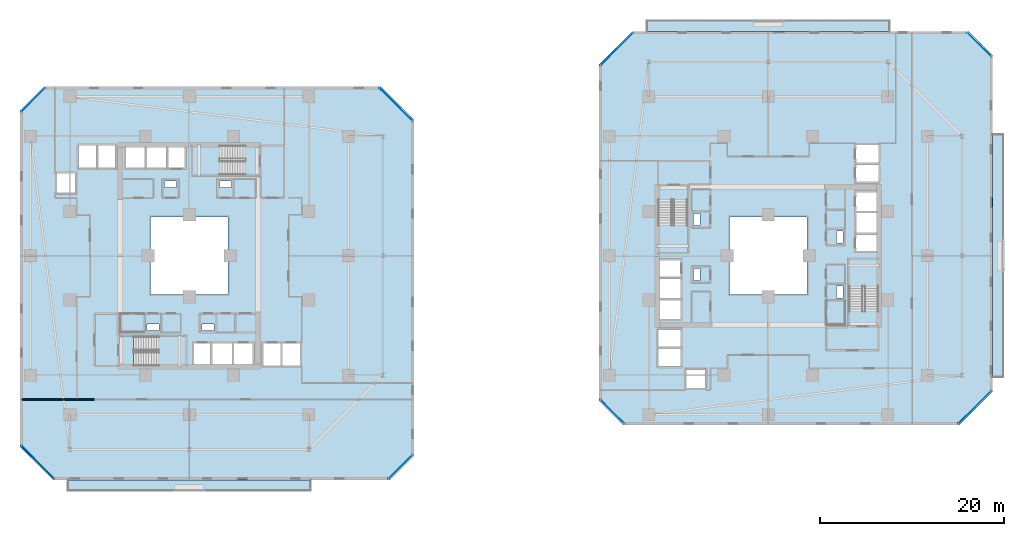
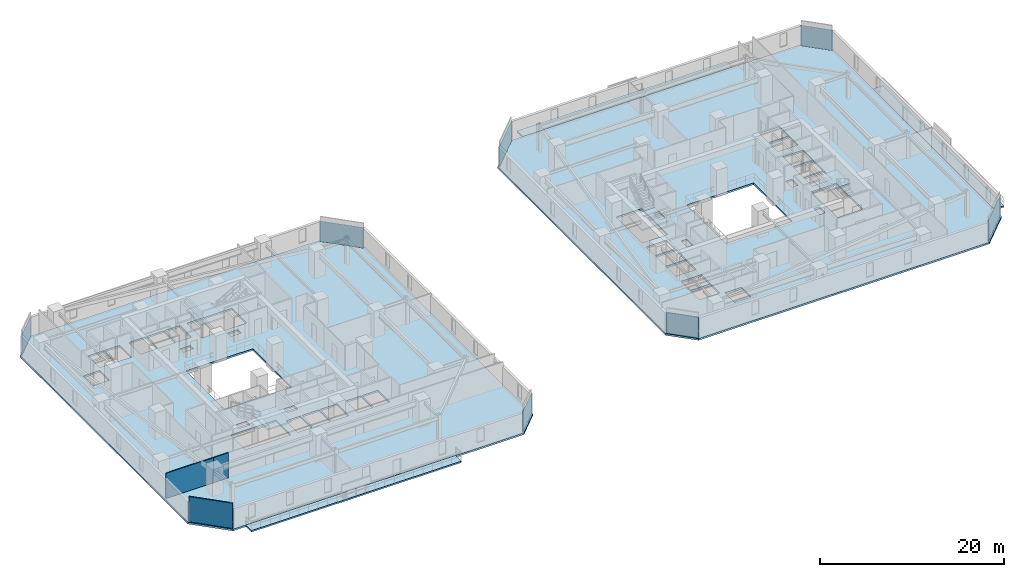
# One storey, part 19 of 34: 9 slabs, 8 plates, 3 walls, 12 elements without a shape of their own.
"""IFC4 building model written with IfcOpenShell, lengths in metres."""

from ifc_helpers import new_model, si_unit, direction, frame, frame_2d, origin, origin_2d, place, context, subcontext, project, spatial, polyline, rectangle, outline, extrude, material, layer, layer_set, type_object, element, aggregate, save


model = new_model("IFC4")

# Units and contexts
model_context = context("Model", 3, precision=1e-05, world=origin(), true_north=direction((0.0, 1.0)))
body_context = subcontext(model_context, "Body", "Model", "MODEL_VIEW")
ifc_project = project(units=[si_unit("LENGTHUNIT", "METRE"), si_unit("AREAUNIT", "SQUARE_METRE"), si_unit("VOLUMEUNIT", "CUBIC_METRE"), si_unit("PLANEANGLEUNIT", "RADIAN"), si_unit("MASSUNIT", "GRAM", prefix="KILO")], contexts=[model_context])

# Site, building, storey
site_placement = place(None, origin())
site = spatial("IfcSite", under=ifc_project, at=site_placement, CompositionType="ELEMENT")
building_placement = place(site_placement, origin())
building = spatial("IfcBuilding", under=site, at=building_placement, Name="Thornwick Lancets Civic Towers", CompositionType="ELEMENT")
storey_placement = place(building_placement, frame((0.0, 0.0, 57.300048828125)))
storey = spatial("IfcBuildingStorey", under=building, at=storey_placement, Name="L14", CompositionType="ELEMENT", Elevation=57.300048828125)

# Curtain wall, plate
ifc_material_1 = material(Name="Low-zone chamfered-corner unitised glass curtain wall", Category="glass")
curtain_wall_type = type_object("IfcCurtainWallType", Name="CW_SYS_03", PredefinedType="NOTDEFINED", material=ifc_material_1)
curtain_wall_1_placement = place(storey_placement, origin())
curtain_wall_1 = element("IfcCurtainWall", 1, at=curtain_wall_1_placement, inside=storey, type_object=curtain_wall_type, Name="L14 Curtain Wall CW-L14-A-E1", PredefinedType="NOTDEFINED")
ifc_material_2 = material(Name="Low-e double glazing clear glass", Category="glass")
ifc_layer_1 = layer(ifc_material_2, 0.035888671875, Name="Low-e double glazing clear glass")
ifc_layer_set_1 = layer_set([ifc_layer_1], Name="Low-e double glazing clear glass")
plate_type = type_object("IfcPlateType", Name="CW_PNL_GLASS", PredefinedType="CURTAIN_PANEL", material=ifc_layer_set_1)
plate_1_placement = place(storey_placement, frame((48.472900390625, 4.027099609375, 0.0), z_axis=(0.0, 0.0, 1.0), x_axis=(0.707106781187, 0.707106781187, 0.0)))
plate_1 = element("IfcPlate", 2, at=plate_1_placement, type_object=plate_type, Name="CW-L14-A-E1 Panel 0", PredefinedType="CURTAIN_PANEL", context=body_context, shape_type="SweptSolid", body=[
    extrude(rectangle(XDim=3.64990234375, YDim=0.035888671875, at=origin_2d()), origin(), (0.0, 0.0, 1.0), 2.699951171875),
])
aggregate(curtain_wall_1, [plate_1])

curtain_wall_2_placement = place(storey_placement, origin())
curtain_wall_2 = element("IfcCurtainWall", 3, at=curtain_wall_2_placement, inside=storey, type_object=curtain_wall_type, Name="L14 Curtain Wall CW-L14-A-E3", PredefinedType="NOTDEFINED")
plate_2_placement = place(storey_placement, frame((47.982421875, 43.482421875, 0.0), z_axis=(0.0, 0.0, 1.0), x_axis=(-0.707106781187, 0.707106781187, 0.0)))
plate_2 = element("IfcPlate", 4, at=plate_2_placement, type_object=plate_type, Name="CW-L14-A-E3 Panel 0", PredefinedType="CURTAIN_PANEL", context=body_context, shape_type="SweptSolid", body=[
    extrude(rectangle(XDim=5.029052734375, YDim=0.035888671875, at=origin_2d()), origin(), (0.0, 0.0, 1.0), 2.699951171875),
])
aggregate(curtain_wall_2, [plate_2])

curtain_wall_3_placement = place(storey_placement, origin())
curtain_wall_3 = element("IfcCurtainWall", 5, at=curtain_wall_3_placement, inside=storey, type_object=curtain_wall_type, Name="L14 Curtain Wall CW-L14-A-E5", PredefinedType="NOTDEFINED")
plate_3_placement = place(storey_placement, frame((8.527099609375, 43.972900390625, 0.0), z_axis=(0.0, 0.0, 1.0), x_axis=(-0.707106781187, -0.707106781187, 0.0)))
plate_3 = element("IfcPlate", 6, at=plate_3_placement, type_object=plate_type, Name="CW-L14-A-E5 Panel 0", PredefinedType="CURTAIN_PANEL", context=body_context, shape_type="SweptSolid", body=[
    extrude(rectangle(XDim=3.64990234375, YDim=0.035888671875, at=origin_2d()), origin(), (0.0, 0.0, 1.0), 2.699951171875),
])
aggregate(curtain_wall_3, [plate_3])

curtain_wall_4_placement = place(storey_placement, origin())
curtain_wall_4 = element("IfcCurtainWall", 7, at=curtain_wall_4_placement, inside=storey, type_object=curtain_wall_type, Name="L14 Curtain Wall CW-L14-A-E7", PredefinedType="NOTDEFINED")
plate_4_placement = place(storey_placement, frame((9.017578125, 4.517822265625, 0.0), z_axis=(0.0, 0.0, 1.0), x_axis=(0.707106781187, -0.707106781187, 0.0)))
plate_4 = element("IfcPlate", 8, at=plate_4_placement, type_object=plate_type, Name="CW-L14-A-E7 Panel 0", PredefinedType="CURTAIN_PANEL", context=body_context, shape_type="SweptSolid", body=[
    extrude(rectangle(XDim=5.029052734375, YDim=0.035888671875, at=origin_2d()), origin(), (0.0, 0.0, 1.0), 2.699951171875),
])
aggregate(curtain_wall_4, [plate_4])

curtain_wall_5_placement = place(storey_placement, origin())
curtain_wall_5 = element("IfcCurtainWall", 9, at=curtain_wall_5_placement, inside=storey, type_object=curtain_wall_type, Name="L14 Curtain Wall CW-L14-B-E1", PredefinedType="NOTDEFINED")
plate_5_placement = place(storey_placement, frame((110.982177734375, 10.517578125, 0.0), z_axis=(0.0, 0.0, 1.0), x_axis=(0.707106781187, 0.707106781187, 0.0)))
plate_5 = element("IfcPlate", 10, at=plate_5_placement, type_object=plate_type, Name="CW-L14-B-E1 Panel 0", PredefinedType="CURTAIN_PANEL", context=body_context, shape_type="SweptSolid", body=[
    extrude(rectangle(XDim=5.029052734375, YDim=0.035888671875, at=origin_2d()), origin(), (0.0, 0.0, 1.0), 2.699951171875),
])
aggregate(curtain_wall_5, [plate_5])

curtain_wall_6_placement = place(storey_placement, origin())
curtain_wall_6 = element("IfcCurtainWall", 11, at=curtain_wall_6_placement, inside=storey, type_object=curtain_wall_type, Name="L14 Curtain Wall CW-L14-B-E3", PredefinedType="NOTDEFINED")
plate_6_placement = place(storey_placement, frame((111.472900390625, 49.972900390625, 0.0), z_axis=(0.0, 0.0, 1.0), x_axis=(-0.707106781187, 0.707106781187, 0.0)))
plate_6 = element("IfcPlate", 12, at=plate_6_placement, type_object=plate_type, Name="CW-L14-B-E3 Panel 0", PredefinedType="CURTAIN_PANEL", context=body_context, shape_type="SweptSolid", body=[
    extrude(rectangle(XDim=3.64990234375, YDim=0.035888671875, at=origin_2d()), origin(), (0.0, 0.0, 1.0), 2.699951171875),
])
aggregate(curtain_wall_6, [plate_6])

curtain_wall_7_placement = place(storey_placement, origin())
curtain_wall_7 = element("IfcCurtainWall", 13, at=curtain_wall_7_placement, inside=storey, type_object=curtain_wall_type, Name="L14 Curtain Wall CW-L14-B-E5", PredefinedType="NOTDEFINED")
plate_7_placement = place(storey_placement, frame((72.017822265625, 49.482421875, 0.0), z_axis=(0.0, 0.0, 1.0), x_axis=(-0.707106781187, -0.707106781187, 0.0)))
plate_7 = element("IfcPlate", 14, at=plate_7_placement, type_object=plate_type, Name="CW-L14-B-E5 Panel 0", PredefinedType="CURTAIN_PANEL", context=body_context, shape_type="SweptSolid", body=[
    extrude(rectangle(XDim=5.029052734375, YDim=0.035888671875, at=origin_2d()), origin(), (0.0, 0.0, 1.0), 2.699951171875),
])
aggregate(curtain_wall_7, [plate_7])

curtain_wall_8_placement = place(storey_placement, origin())
curtain_wall_8 = element("IfcCurtainWall", 15, at=curtain_wall_8_placement, inside=storey, type_object=curtain_wall_type, Name="L14 Curtain Wall CW-L14-B-E7", PredefinedType="NOTDEFINED")
plate_8_placement = place(storey_placement, frame((71.527099609375, 10.027099609375, 0.0), z_axis=(0.0, 0.0, 1.0), x_axis=(0.707106781187, -0.707106781187, 0.0)))
plate_8 = element("IfcPlate", 16, at=plate_8_placement, type_object=plate_type, Name="CW-L14-B-E7 Panel 0", PredefinedType="CURTAIN_PANEL", context=body_context, shape_type="SweptSolid", body=[
    extrude(rectangle(XDim=3.64990234375, YDim=0.035888671875, at=origin_2d()), origin(), (0.0, 0.0, 1.0), 2.699951171875),
])
aggregate(curtain_wall_8, [plate_8])

# Slabs
ifc_material_3 = material(Name="Post-tensioned concrete C40/50", Category="concrete")
ifc_layer_2 = layer(ifc_material_3, 0.199951171875, Name="Post-tensioned concrete C40/50")
ifc_layer_set_2 = layer_set([ifc_layer_2], Name="Post-tensioned concrete C40/50")
slab_type_1 = type_object("IfcSlabType", Name="SLAB_BALCONY_200", PredefinedType="FLOOR", material=ifc_layer_set_2)
slab_1_placement = place(storey_placement, frame((0.0, 0.0, -0.199951171875)))
element("IfcSlab", 17, at=slab_1_placement, inside=storey, type_object=slab_type_1, Name="L14 Tower A Planted Balcony Slab S", PredefinedType="FLOOR", context=body_context, shape_type="SweptSolid", body=[
    extrude(outline(polyline([(12.300048828125, 1.35009765625), (38.699951171875, 1.35009765625), (38.699951171875, 2.60009765625), (12.300048828125, 2.60009765625), (12.300048828125, 1.35009765625)])), origin(), (0.0, 0.0, 1.0), 0.199951171875),
])
slab_2_placement = place(storey_placement, frame((0.0, 0.0, -0.199951171875)))
element("IfcSlab", 18, at=slab_2_placement, inside=storey, type_object=slab_type_1, Name="L14 Tower B Planted Balcony Slab E", PredefinedType="FLOOR", context=body_context, shape_type="SweptSolid", body=[
    extrude(outline(polyline([(112.89990234375, 13.800048828125), (114.14990234375, 13.800048828125), (114.14990234375, 40.199951171875), (112.89990234375, 40.199951171875), (112.89990234375, 13.800048828125)])), origin(), (0.0, 0.0, 1.0), 0.199951171875),
])
slab_3_placement = place(storey_placement, frame((0.0, 0.0, -0.199951171875)))
element("IfcSlab", 19, at=slab_3_placement, inside=storey, type_object=slab_type_1, Name="L14 Tower B Planted Balcony Slab N", PredefinedType="FLOOR", context=body_context, shape_type="SweptSolid", body=[
    extrude(outline(polyline([(75.300048828125, 51.39990234375), (101.699951171875, 51.39990234375), (101.699951171875, 52.64990234375), (75.300048828125, 52.64990234375), (75.300048828125, 51.39990234375)])), origin(), (0.0, 0.0, 1.0), 0.199951171875),
])

# Stair, slab
ifc_material_4 = material(Name="Concrete C40/50", Category="concrete")
stair_type = type_object("IfcStairType", Name="STAIR_DL_3600", PredefinedType="HALF_TURN_STAIR", material=ifc_material_4)
stair_1_placement = place(storey_placement, origin())
stair_1 = element("IfcStair", 20, at=stair_1_placement, inside=storey, type_object=stair_type, Name="L14 Tower A South Exit Stair ST-A1", PredefinedType="HALF_TURN_STAIR")
ifc_layer_3 = layer(ifc_material_4, 0.25, Name="Concrete C40/50")
ifc_layer_set_3 = layer_set([ifc_layer_3], Name="Concrete C40/50")
slab_type_2 = type_object("IfcSlabType", Name="SLAB_LANDING_200", PredefinedType="LANDING", material=ifc_layer_set_3)
slab_4_placement = place(storey_placement, frame((0.0, 0.0, 1.60302734375)))
slab_4 = element("IfcSlab", 21, at=slab_4_placement, type_object=slab_type_2, Name="ST-A1 landing 1", PredefinedType="LANDING", context=body_context, shape_type="SweptSolid", body=[
    extrude(outline(polyline([(22.169921875, 14.93994140625), (25.14990234375, 14.93994140625), (25.14990234375, 18.260009765625), (22.169921875, 18.260009765625), (22.169921875, 14.93994140625)])), origin(), (0.0, 0.0, 1.0), 0.199951171875),
])
aggregate(stair_1, [slab_4])

stair_2_placement = place(storey_placement, origin())
stair_2 = element("IfcStair", 22, at=stair_2_placement, inside=storey, type_object=stair_type, Name="L14 Tower A North Exit Stair ST-A2", PredefinedType="HALF_TURN_STAIR")
slab_5_placement = place(storey_placement, frame((0.0, 0.0, 1.60302734375)))
slab_5 = element("IfcSlab", 23, at=slab_5_placement, type_object=slab_type_2, Name="ST-A2 landing 1", PredefinedType="LANDING", context=body_context, shape_type="SweptSolid", body=[
    extrude(outline(polyline([(28.830078125, 39.06005859375), (25.85009765625, 39.06005859375), (25.85009765625, 35.739990234375), (28.830078125, 35.739990234375), (28.830078125, 39.06005859375)])), origin(), (0.0, 0.0, 1.0), 0.199951171875),
])
aggregate(stair_2, [slab_5])

stair_3_placement = place(storey_placement, origin())
stair_3 = element("IfcStair", 24, at=stair_3_placement, inside=storey, type_object=stair_type, Name="L14 Tower B East Exit Stair ST-B1", PredefinedType="HALF_TURN_STAIR")
slab_6_placement = place(storey_placement, frame((0.0, 0.0, 1.60302734375)))
slab_6 = element("IfcSlab", 25, at=slab_6_placement, type_object=slab_type_2, Name="ST-B1 landing 1", PredefinedType="LANDING", context=body_context, shape_type="SweptSolid", body=[
    extrude(outline(polyline([(100.56005859375, 23.669921875), (100.56005859375, 26.64990234375), (97.239990234375, 26.64990234375), (97.239990234375, 23.669921875), (100.56005859375, 23.669921875)])), origin(), (0.0, 0.0, 1.0), 0.199951171875),
])
aggregate(stair_3, [slab_6])

stair_4_placement = place(storey_placement, origin())
stair_4 = element("IfcStair", 26, at=stair_4_placement, inside=storey, type_object=stair_type, Name="L14 Tower B West Exit Stair ST-B2", PredefinedType="HALF_TURN_STAIR")
slab_7_placement = place(storey_placement, frame((0.0, 0.0, 1.60302734375)))
slab_7 = element("IfcSlab", 27, at=slab_7_placement, type_object=slab_type_2, Name="ST-B2 landing 1", PredefinedType="LANDING", context=body_context, shape_type="SweptSolid", body=[
    extrude(outline(polyline([(76.43994140625, 30.330078125), (76.43994140625, 27.35009765625), (79.760009765625, 27.35009765625), (79.760009765625, 30.330078125), (76.43994140625, 30.330078125)])), origin(), (0.0, 0.0, 1.0), 0.199951171875),
])
aggregate(stair_4, [slab_7])

# Slabs
ifc_layer_4 = layer(ifc_material_3, 0.239990234375, Name="Post-tensioned concrete C40/50")
ifc_layer_set_4 = layer_set([ifc_layer_4], Name="Post-tensioned concrete C40/50")
slab_type_3 = type_object("IfcSlabType", Name="SLAB_PT_240", PredefinedType="FLOOR", material=ifc_layer_set_4)
slab_8_placement = place(storey_placement, frame((0.0, 0.0, -0.239990234375)))
element("IfcSlab", 28, at=slab_8_placement, inside=storey, type_object=slab_type_3, Name="L14 Tower A Floor Slab", PredefinedType="FLOOR", context=body_context, shape_type="SweptSolid", body=[
    extrude(outline(polyline([(10.681884765625, 2.60009765625), (47.300048828125, 2.60009765625), (49.89990234375, 5.199951171875), (49.89990234375, 41.818115234375), (46.318115234375, 45.39990234375), (9.699951171875, 45.39990234375), (7.10009765625, 42.800048828125), (7.10009765625, 6.181884765625), (10.681884765625, 2.60009765625)]), holes=[polyline([(21.300048828125, 22.800048828125), (29.699951171875, 22.800048828125), (29.699951171875, 31.199951171875), (21.300048828125, 31.199951171875), (21.300048828125, 22.800048828125)]), polyline([(19.429931640625, 15.0), (25.10009765625, 15.0), (25.10009765625, 18.199951171875), (19.429931640625, 18.199951171875), (19.429931640625, 15.0)]), polyline([(31.570068359375, 39.0), (25.89990234375, 39.0), (25.89990234375, 35.800048828125), (31.570068359375, 35.800048828125), (31.570068359375, 39.0)]), polyline([(26.0, 15.0), (27.800048828125, 15.0), (27.800048828125, 17.550048828125), (26.0, 17.550048828125), (26.0, 15.0)]), polyline([(28.0, 15.0), (30.14990234375, 15.0), (30.14990234375, 17.550048828125), (28.0, 17.550048828125), (28.0, 15.0)]), polyline([(30.35009765625, 15.0), (32.39990234375, 15.0), (32.39990234375, 17.550048828125), (30.35009765625, 17.550048828125), (30.35009765625, 15.0)]), polyline([(33.550048828125, 15.0), (35.449951171875, 15.0), (35.449951171875, 17.550048828125), (33.550048828125, 17.550048828125), (33.550048828125, 15.0)]), polyline([(35.60009765625, 15.0), (37.550048828125, 15.0), (37.550048828125, 17.550048828125), (35.60009765625, 17.550048828125), (35.60009765625, 15.0)]), polyline([(23.199951171875, 36.449951171875), (25.0, 36.449951171875), (25.0, 39.0), (23.199951171875, 39.0), (23.199951171875, 36.449951171875)]), polyline([(20.85009765625, 36.449951171875), (23.0, 36.449951171875), (23.0, 39.0), (20.85009765625, 39.0), (20.85009765625, 36.449951171875)]), polyline([(18.60009765625, 36.449951171875), (20.699951171875, 36.449951171875), (20.699951171875, 39.0), (18.60009765625, 39.0), (18.60009765625, 36.449951171875)]), polyline([(15.550048828125, 36.449951171875), (17.449951171875, 36.449951171875), (17.449951171875, 39.0), (15.550048828125, 39.0), (15.550048828125, 36.449951171875)]), polyline([(13.449951171875, 36.449951171875), (15.39990234375, 36.449951171875), (15.39990234375, 39.0), (13.449951171875, 39.0), (13.449951171875, 36.449951171875)]), polyline([(11.10009765625, 33.85009765625), (13.199951171875, 33.85009765625), (13.199951171875, 35.949951171875), (11.10009765625, 35.949951171875), (11.10009765625, 33.85009765625)]), polyline([(26.89990234375, 18.85009765625), (28.199951171875, 18.85009765625), (28.199951171875, 19.580078125), (26.89990234375, 19.580078125), (26.89990234375, 18.85009765625)]), polyline([(20.89990234375, 18.85009765625), (22.199951171875, 18.85009765625), (22.199951171875, 19.580078125), (20.89990234375, 19.580078125), (20.89990234375, 18.85009765625)]), polyline([(22.800048828125, 34.419921875), (24.10009765625, 34.419921875), (24.10009765625, 35.14990234375), (22.800048828125, 35.14990234375), (22.800048828125, 34.419921875)]), polyline([(28.800048828125, 34.419921875), (30.10009765625, 34.419921875), (30.10009765625, 35.14990234375), (28.800048828125, 35.14990234375), (28.800048828125, 34.419921875)])]), origin(), (0.0, 0.0, 1.0), 0.239990234375),
])
slab_9_placement = place(storey_placement, frame((0.0, 0.0, -0.239990234375)))
element("IfcSlab", 29, at=slab_9_placement, inside=storey, type_object=slab_type_3, Name="L14 Tower B Floor Slab", PredefinedType="FLOOR", context=body_context, shape_type="SweptSolid", body=[
    extrude(outline(polyline([(72.699951171875, 8.60009765625), (109.318115234375, 8.60009765625), (112.89990234375, 12.181884765625), (112.89990234375, 48.800048828125), (110.300048828125, 51.39990234375), (73.681884765625, 51.39990234375), (70.10009765625, 47.818115234375), (70.10009765625, 11.199951171875), (72.699951171875, 8.60009765625)]), holes=[polyline([(84.300048828125, 22.800048828125), (92.699951171875, 22.800048828125), (92.699951171875, 31.199951171875), (84.300048828125, 31.199951171875), (84.300048828125, 22.800048828125)]), polyline([(100.5, 20.929931640625), (100.5, 26.60009765625), (97.300048828125, 26.60009765625), (97.300048828125, 20.929931640625), (100.5, 20.929931640625)]), polyline([(76.5, 33.070068359375), (76.5, 27.39990234375), (79.699951171875, 27.39990234375), (79.699951171875, 33.070068359375), (76.5, 33.070068359375)]), polyline([(97.949951171875, 27.5), (100.5, 27.5), (100.5, 29.300048828125), (97.949951171875, 29.300048828125), (97.949951171875, 27.5)]), polyline([(97.949951171875, 29.5), (100.5, 29.5), (100.5, 31.64990234375), (97.949951171875, 31.64990234375), (97.949951171875, 29.5)]), polyline([(97.949951171875, 31.85009765625), (100.5, 31.85009765625), (100.5, 33.89990234375), (97.949951171875, 33.89990234375), (97.949951171875, 31.85009765625)]), polyline([(97.949951171875, 35.050048828125), (100.5, 35.050048828125), (100.5, 36.949951171875), (97.949951171875, 36.949951171875), (97.949951171875, 35.050048828125)]), polyline([(97.949951171875, 37.10009765625), (100.5, 37.10009765625), (100.5, 39.050048828125), (97.949951171875, 39.050048828125), (97.949951171875, 37.10009765625)]), polyline([(76.5, 24.699951171875), (79.050048828125, 24.699951171875), (79.050048828125, 26.5), (76.5, 26.5), (76.5, 24.699951171875)]), polyline([(76.5, 22.35009765625), (79.050048828125, 22.35009765625), (79.050048828125, 24.5), (76.5, 24.5), (76.5, 22.35009765625)]), polyline([(76.5, 20.10009765625), (79.050048828125, 20.10009765625), (79.050048828125, 22.199951171875), (76.5, 22.199951171875), (76.5, 20.10009765625)]), polyline([(76.5, 17.050048828125), (79.050048828125, 17.050048828125), (79.050048828125, 18.949951171875), (76.5, 18.949951171875), (76.5, 17.050048828125)]), polyline([(76.5, 14.949951171875), (79.050048828125, 14.949951171875), (79.050048828125, 16.89990234375), (76.5, 16.89990234375), (76.5, 14.949951171875)]), polyline([(79.550048828125, 12.60009765625), (81.64990234375, 12.60009765625), (81.64990234375, 14.699951171875), (79.550048828125, 14.699951171875), (79.550048828125, 12.60009765625)]), polyline([(95.919921875, 28.39990234375), (96.64990234375, 28.39990234375), (96.64990234375, 29.699951171875), (95.919921875, 29.699951171875), (95.919921875, 28.39990234375)]), polyline([(95.919921875, 22.39990234375), (96.64990234375, 22.39990234375), (96.64990234375, 23.699951171875), (95.919921875, 23.699951171875), (95.919921875, 22.39990234375)]), polyline([(80.35009765625, 24.300048828125), (81.080078125, 24.300048828125), (81.080078125, 25.60009765625), (80.35009765625, 25.60009765625), (80.35009765625, 24.300048828125)]), polyline([(80.35009765625, 30.300048828125), (81.080078125, 30.300048828125), (81.080078125, 31.60009765625), (80.35009765625, 31.60009765625), (80.35009765625, 30.300048828125)])]), origin(), (0.0, 0.0, 1.0), 0.239990234375),
])

# Walls
ifc_material_5 = material(Name="Acoustic gypsum board partition")
ifc_layer_5 = layer(ifc_material_5, 0.1201171875, Name="Acoustic gypsum board partition")
ifc_layer_set_5 = layer_set([ifc_layer_5], Name="Acoustic gypsum board partition")
wall_type = type_object("IfcWallType", Name="WALL_PART_120", PredefinedType="PARTITIONING", material=ifc_layer_set_5)
wall_1_placement = place(storey_placement, frame((13.25, 11.35009765625, 0.0), z_axis=(0.0, 0.0, 1.0), x_axis=(-1.0, 0.0, 0.0)))
element("IfcWall", 30, at=wall_1_placement, inside=storey, type_object=wall_type, Name="L14 Partition L14-A-W1 E5", PredefinedType="PARTITIONING", context=body_context, shape_type="SweptSolid", body=[
    extrude(rectangle(XDim=5.969970703125, YDim=0.1201171875, at=frame_2d((2.98486328125, 0.0))), origin(), (0.0, 0.0, 1.0), 3.33984375),
])
wall_2_placement = place(storey_placement, frame((13.25, 11.35009765625, 0.0), z_axis=(0.0, 0.0, 1.0), x_axis=(1.0, 0.0, 0.0)))
element("IfcWall", 31, at=wall_2_placement, inside=storey, type_object=wall_type, Name="L14 Partition L14-A-S-OFF E1", PredefinedType="PARTITIONING", context=body_context, shape_type="SweptSolid", body=[
    extrude(rectangle(XDim=1.89990234375, YDim=0.1201171875, at=frame_2d((0.949951171875, 0.0))), origin(), (0.0, 0.0, 1.0), 3.33984375),
])
wall_3_placement = place(storey_placement, frame((10.756591796875, 2.780029296875, 0.0), z_axis=(0.0, 0.0, 1.0), x_axis=(-0.707106781187, 0.707106781187, 0.0)))
element("IfcWall", 32, at=wall_3_placement, inside=storey, type_object=wall_type, Name="L14 Partition L14-A-S-OFF E5", PredefinedType="PARTITIONING", context=body_context, shape_type="SweptSolid", body=[
    extrude(rectangle(XDim=4.91650390625, YDim=0.1201171875, at=frame_2d((2.458251953125, 0.0))), origin(), (0.0, 0.0, 1.0), 3.33984375),
])

save(model, "model.ifc")
